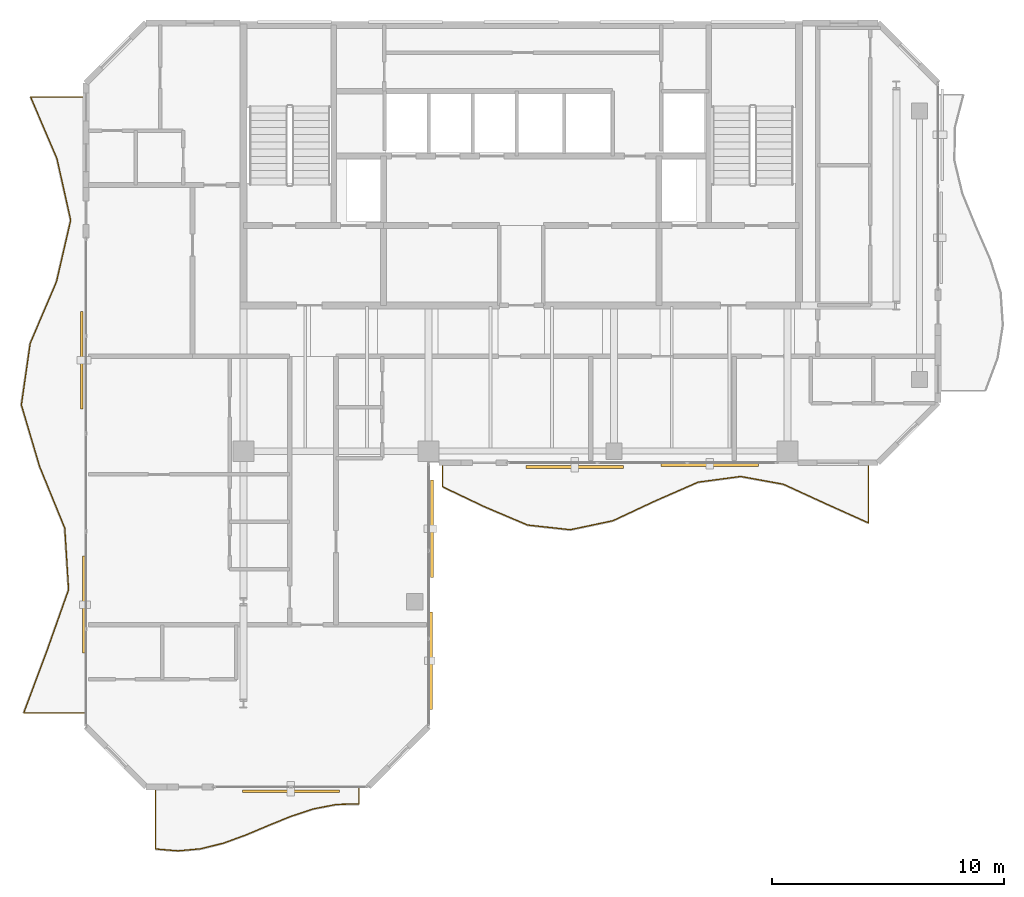
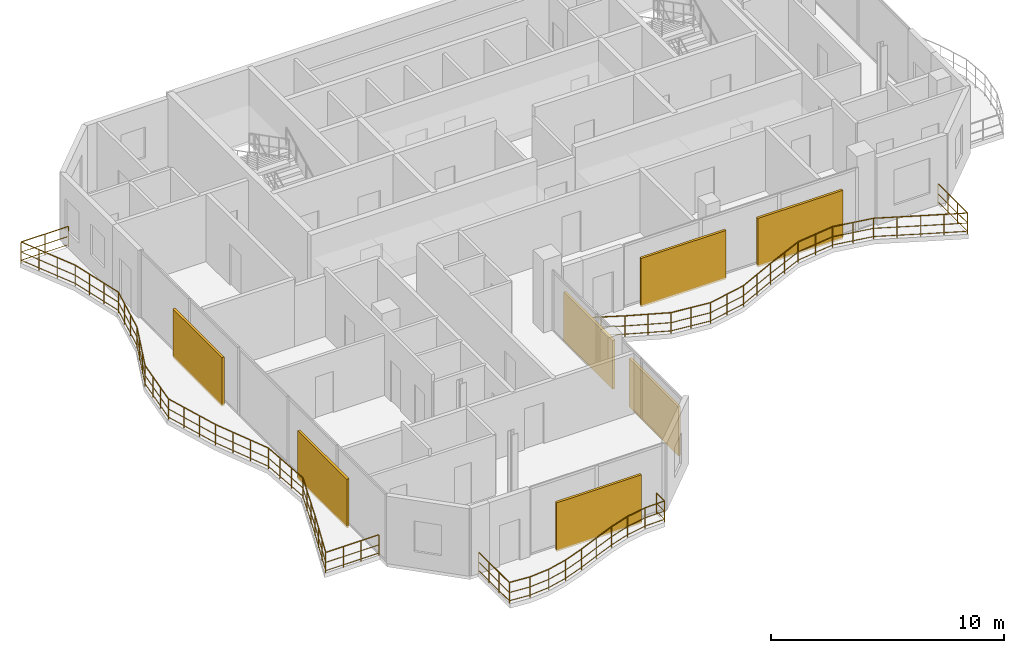
# One storey, part 16 of 17: 7 shading devices, 3 railings.
"""IFC4 building model written with IfcOpenShell, lengths in metres."""

from ifc_helpers import new_model, si_unit, direction, frame, origin, origin_2d, place, context, subcontext, project, spatial, rectangle, circle, extrude, material, type_object, element, save


model = new_model("IFC4")

# Units and contexts
model_context = context("Model", 3, precision=1e-05, world=origin(), true_north=direction((0.0, 1.0)))
body_context = subcontext(model_context, "Body", "Model", "MODEL_VIEW")
ifc_project = project(units=[si_unit("LENGTHUNIT", "METRE"), si_unit("AREAUNIT", "SQUARE_METRE"), si_unit("VOLUMEUNIT", "CUBIC_METRE"), si_unit("PLANEANGLEUNIT", "RADIAN"), si_unit("MASSUNIT", "GRAM", prefix="KILO")], contexts=[model_context])

# Site, building, storey
site_placement = place(None, origin())
site = spatial("IfcSite", under=ifc_project, at=site_placement, CompositionType="ELEMENT")
building_placement = place(site_placement, origin())
building = spatial("IfcBuilding", under=site, at=building_placement, Name="Catumbela Crestline Tower", CompositionType="ELEMENT")
storey_placement = place(building_placement, frame((0.0, 0.0, 271.6)))
storey = spatial("IfcBuildingStorey", under=building, at=storey_placement, Name="L70", CompositionType="ELEMENT", Elevation=271.6)

# Railings
ifc_material_1 = material(Name="Stainless steel EN 1.4401", Category="steel")
railing_type = type_object("IfcRailingType", Name="RB-1100", PredefinedType="BALUSTRADE", material=ifc_material_1)
railing_1_placement = place(storey_placement, frame((24.6, 23.94, 0.0)))
element("IfcRailing", 1, at=railing_1_placement, inside=storey, type_object=railing_type, Name="L70 Private Wave Balcony Balustrade 1", PredefinedType="BALUSTRADE", context=body_context, shape_type="SweptSolid", body=[
    extrude(circle(Radius=0.024, at=origin_2d()), frame((0.0, 0.0, 1.076), z_axis=(0.0, -1.0, 0.0), x_axis=(1.0, 0.0, 0.0)), (0.0, 0.0, 1.0), 0.9747),
    extrude(circle(Radius=0.0156, at=origin_2d()), frame((0.0, 0.0, 0.55), z_axis=(0.0, -1.0, 0.0), x_axis=(1.0, 0.0, 0.0)), (0.0, 0.0, 1.0), 0.9747),
    extrude(circle(Radius=0.0156, at=origin_2d()), frame((0.0, 0.0, 0.12), z_axis=(0.0, -1.0, 0.0), x_axis=(1.0, 0.0, 0.0)), (0.0, 0.0, 1.0), 0.9747),
    extrude(circle(Radius=0.024, at=origin_2d()), frame((0.0, -0.9747, 1.076), z_axis=(0.902972969489, -0.429697354394, 0.0), x_axis=(0.429697354394, 0.902972969489, 0.0)), (0.0, 0.0, 1.0), 2.0377),
    extrude(circle(Radius=0.0156, at=origin_2d()), frame((0.0, -0.9747, 0.55), z_axis=(0.902972969489, -0.429697354394, 0.0), x_axis=(0.429697354394, 0.902972969489, 0.0)), (0.0, 0.0, 1.0), 2.0377),
    extrude(circle(Radius=0.0156, at=origin_2d()), frame((0.0, -0.9747, 0.12), z_axis=(0.902972969489, -0.429697354394, 0.0), x_axis=(0.429697354394, 0.902972969489, 0.0)), (0.0, 0.0, 1.0), 2.0377),
    extrude(circle(Radius=0.024, at=origin_2d()), frame((1.84, -1.8503, 1.076), z_axis=(0.920798637324, -0.390038292353, 0.0), x_axis=(0.390038292353, 0.920798637324, 0.0)), (0.0, 0.0, 1.0), 1.9983),
    extrude(circle(Radius=0.0156, at=origin_2d()), frame((1.84, -1.8503, 0.55), z_axis=(0.920798637324, -0.390038292353, 0.0), x_axis=(0.390038292353, 0.920798637324, 0.0)), (0.0, 0.0, 1.0), 1.9983),
    extrude(circle(Radius=0.0156, at=origin_2d()), frame((1.84, -1.8503, 0.12), z_axis=(0.920798637324, -0.390038292353, 0.0), x_axis=(0.390038292353, 0.920798637324, 0.0)), (0.0, 0.0, 1.0), 1.9983),
    extrude(circle(Radius=0.024, at=origin_2d()), frame((3.68, -2.6297, 1.076), z_axis=(0.994127037849, -0.108219372653, 0.0), x_axis=(0.108219372653, 0.994127037849, 0.0)), (0.0, 0.0, 1.0), 1.8509),
    extrude(circle(Radius=0.0156, at=origin_2d()), frame((3.68, -2.6297, 0.55), z_axis=(0.994127037849, -0.108219372653, 0.0), x_axis=(0.108219372653, 0.994127037849, 0.0)), (0.0, 0.0, 1.0), 1.8509),
    extrude(circle(Radius=0.0156, at=origin_2d()), frame((3.68, -2.6297, 0.12), z_axis=(0.994127037849, -0.108219372653, 0.0), x_axis=(0.108219372653, 0.994127037849, 0.0)), (0.0, 0.0, 1.0), 1.8509),
    extrude(circle(Radius=0.024, at=origin_2d()), frame((5.52, -2.83, 1.076), z_axis=(0.978374541286, 0.206841139435, 0.0), x_axis=(-0.206841139435, 0.978374541286, 0.0)), (0.0, 0.0, 1.0), 1.8807),
    extrude(circle(Radius=0.0156, at=origin_2d()), frame((5.52, -2.83, 0.55), z_axis=(0.978374541286, 0.206841139435, 0.0), x_axis=(-0.206841139435, 0.978374541286, 0.0)), (0.0, 0.0, 1.0), 1.8807),
    extrude(circle(Radius=0.0156, at=origin_2d()), frame((5.52, -2.83, 0.12), z_axis=(0.978374541286, 0.206841139435, 0.0), x_axis=(-0.206841139435, 0.978374541286, 0.0)), (0.0, 0.0, 1.0), 1.8807),
    extrude(circle(Radius=0.024, at=origin_2d()), frame((7.36, -2.441, 1.076), z_axis=(0.905666903231, 0.423989929589, 0.0), x_axis=(-0.423989929589, 0.905666903231, 0.0)), (0.0, 0.0, 1.0), 2.0317),
    extrude(circle(Radius=0.0156, at=origin_2d()), frame((7.36, -2.441, 0.55), z_axis=(0.905666903231, 0.423989929589, 0.0), x_axis=(-0.423989929589, 0.905666903231, 0.0)), (0.0, 0.0, 1.0), 2.0317),
    extrude(circle(Radius=0.0156, at=origin_2d()), frame((7.36, -2.441, 0.12), z_axis=(0.905666903231, 0.423989929589, 0.0), x_axis=(-0.423989929589, 0.905666903231, 0.0)), (0.0, 0.0, 1.0), 2.0317),
    extrude(circle(Radius=0.024, at=origin_2d()), frame((9.2, -1.5796, 1.076), z_axis=(0.916212181506, 0.400693446988, 0.0), x_axis=(-0.400693446988, 0.916212181506, 0.0)), (0.0, 0.0, 1.0), 2.0083),
    extrude(circle(Radius=0.0156, at=origin_2d()), frame((9.2, -1.5796, 0.55), z_axis=(0.916212181506, 0.400693446988, 0.0), x_axis=(-0.400693446988, 0.916212181506, 0.0)), (0.0, 0.0, 1.0), 2.0083),
    extrude(circle(Radius=0.0156, at=origin_2d()), frame((9.2, -1.5796, 0.12), z_axis=(0.916212181506, 0.400693446988, 0.0), x_axis=(-0.400693446988, 0.916212181506, 0.0)), (0.0, 0.0, 1.0), 2.0083),
    extrude(circle(Radius=0.024, at=origin_2d()), frame((11.04, -0.7749, 1.076), z_axis=(0.991258456924, 0.131934345707, 0.0), x_axis=(-0.131934345707, 0.991258456924, 0.0)), (0.0, 0.0, 1.0), 1.8562),
    extrude(circle(Radius=0.0156, at=origin_2d()), frame((11.04, -0.7749, 0.55), z_axis=(0.991258456924, 0.131934345707, 0.0), x_axis=(-0.131934345707, 0.991258456924, 0.0)), (0.0, 0.0, 1.0), 1.8562),
    extrude(circle(Radius=0.0156, at=origin_2d()), frame((11.04, -0.7749, 0.12), z_axis=(0.991258456924, 0.131934345707, 0.0), x_axis=(-0.131934345707, 0.991258456924, 0.0)), (0.0, 0.0, 1.0), 1.8562),
    extrude(circle(Radius=0.024, at=origin_2d()), frame((12.88, -0.53, 1.076), z_axis=(0.983742201582, -0.179586416039, 0.0), x_axis=(0.179586416039, 0.983742201582, 0.0)), (0.0, 0.0, 1.0), 1.8704),
    extrude(circle(Radius=0.0156, at=origin_2d()), frame((12.88, -0.53, 0.55), z_axis=(0.983742201582, -0.179586416039, 0.0), x_axis=(0.179586416039, 0.983742201582, 0.0)), (0.0, 0.0, 1.0), 1.8704),
    extrude(circle(Radius=0.0156, at=origin_2d()), frame((12.88, -0.53, 0.12), z_axis=(0.983742201582, -0.179586416039, 0.0), x_axis=(0.179586416039, 0.983742201582, 0.0)), (0.0, 0.0, 1.0), 1.8704),
    extrude(circle(Radius=0.024, at=origin_2d()), frame((14.72, -0.8659, 1.076), z_axis=(0.908883878941, -0.41704927119, 0.0), x_axis=(0.41704927119, 0.908883878941, 0.0)), (0.0, 0.0, 1.0), 2.0245),
    extrude(circle(Radius=0.0156, at=origin_2d()), frame((14.72, -0.8659, 0.55), z_axis=(0.908883878941, -0.41704927119, 0.0), x_axis=(0.41704927119, 0.908883878941, 0.0)), (0.0, 0.0, 1.0), 2.0245),
    extrude(circle(Radius=0.0156, at=origin_2d()), frame((14.72, -0.8659, 0.12), z_axis=(0.908883878941, -0.41704927119, 0.0), x_axis=(0.41704927119, 0.908883878941, 0.0)), (0.0, 0.0, 1.0), 2.0245),
    extrude(circle(Radius=0.024, at=origin_2d()), frame((16.56, -1.7102, 1.076), z_axis=(0.912069843426, -0.410034877436, 0.0), x_axis=(0.410034877436, 0.912069843426, 0.0)), (0.0, 0.0, 1.0), 2.0174),
    extrude(circle(Radius=0.0156, at=origin_2d()), frame((16.56, -1.7102, 0.55), z_axis=(0.912069843426, -0.410034877436, 0.0), x_axis=(0.410034877436, 0.912069843426, 0.0)), (0.0, 0.0, 1.0), 2.0174),
    extrude(circle(Radius=0.0156, at=origin_2d()), frame((16.56, -1.7102, 0.12), z_axis=(0.912069843426, -0.410034877436, 0.0), x_axis=(0.410034877436, 0.912069843426, 0.0)), (0.0, 0.0, 1.0), 2.0174),
    extrude(circle(Radius=0.024, at=origin_2d()), frame((18.4, -2.5374, 1.076), z_axis=(0.0, 1.0, 0.0), x_axis=(-1.0, 0.0, 0.0)), (0.0, 0.0, 1.0), 2.5374),
    extrude(circle(Radius=0.0156, at=origin_2d()), frame((18.4, -2.5374, 0.55), z_axis=(0.0, 1.0, 0.0), x_axis=(-1.0, 0.0, 0.0)), (0.0, 0.0, 1.0), 2.5374),
    extrude(circle(Radius=0.0156, at=origin_2d()), frame((18.4, -2.5374, 0.12), z_axis=(0.0, 1.0, 0.0), x_axis=(-1.0, 0.0, 0.0)), (0.0, 0.0, 1.0), 2.5374),
    extrude(circle(Radius=0.021, at=origin_2d()), origin(), (0.0, 0.0, 1.0), 1.052),
    extrude(circle(Radius=0.021, at=origin_2d()), frame((0.0, -0.9747, 0.0)), (0.0, 0.0, 1.0), 1.052),
    extrude(circle(Radius=0.021, at=origin_2d()), frame((0.92, -1.4125, 0.0)), (0.0, 0.0, 1.0), 1.052),
    extrude(circle(Radius=0.021, at=origin_2d()), frame((1.84, -1.8503, 0.0)), (0.0, 0.0, 1.0), 1.052),
    extrude(circle(Radius=0.021, at=origin_2d()), frame((2.76, -2.24, 0.0)), (0.0, 0.0, 1.0), 1.052),
    extrude(circle(Radius=0.021, at=origin_2d()), frame((3.68, -2.6297, 0.0)), (0.0, 0.0, 1.0), 1.052),
    extrude(circle(Radius=0.021, at=origin_2d()), frame((4.6, -2.7299, 0.0)), (0.0, 0.0, 1.0), 1.052),
    extrude(circle(Radius=0.021, at=origin_2d()), frame((5.52, -2.83, 0.0)), (0.0, 0.0, 1.0), 1.052),
    extrude(circle(Radius=0.021, at=origin_2d()), frame((6.44, -2.6355, 0.0)), (0.0, 0.0, 1.0), 1.052),
    extrude(circle(Radius=0.021, at=origin_2d()), frame((7.36, -2.441, 0.0)), (0.0, 0.0, 1.0), 1.052),
    extrude(circle(Radius=0.021, at=origin_2d()), frame((8.28, -2.0103, 0.0)), (0.0, 0.0, 1.0), 1.052),
    extrude(circle(Radius=0.021, at=origin_2d()), frame((9.2, -1.5796, 0.0)), (0.0, 0.0, 1.0), 1.052),
    extrude(circle(Radius=0.021, at=origin_2d()), frame((10.12, -1.1773, 0.0)), (0.0, 0.0, 1.0), 1.052),
    extrude(circle(Radius=0.021, at=origin_2d()), frame((11.04, -0.7749, 0.0)), (0.0, 0.0, 1.0), 1.052),
    extrude(circle(Radius=0.021, at=origin_2d()), frame((11.96, -0.6525, 0.0)), (0.0, 0.0, 1.0), 1.052),
    extrude(circle(Radius=0.021, at=origin_2d()), frame((12.88, -0.53, 0.0)), (0.0, 0.0, 1.0), 1.052),
    extrude(circle(Radius=0.021, at=origin_2d()), frame((13.8, -0.698, 0.0)), (0.0, 0.0, 1.0), 1.052),
    extrude(circle(Radius=0.021, at=origin_2d()), frame((14.72, -0.8659, 0.0)), (0.0, 0.0, 1.0), 1.052),
    extrude(circle(Radius=0.021, at=origin_2d()), frame((15.64, -1.2881, 0.0)), (0.0, 0.0, 1.0), 1.052),
    extrude(circle(Radius=0.021, at=origin_2d()), frame((16.56, -1.7102, 0.0)), (0.0, 0.0, 1.0), 1.052),
    extrude(circle(Radius=0.021, at=origin_2d()), frame((17.48, -2.1238, 0.0)), (0.0, 0.0, 1.0), 1.052),
    extrude(circle(Radius=0.021, at=origin_2d()), frame((18.4, -2.5374, 0.0)), (0.0, 0.0, 1.0), 1.052),
    extrude(circle(Radius=0.021, at=origin_2d()), frame((18.4, -1.6916, 0.0)), (0.0, 0.0, 1.0), 1.052),
    extrude(circle(Radius=0.021, at=origin_2d()), frame((18.4, -0.8458, 0.0)), (0.0, 0.0, 1.0), 1.052),
    extrude(circle(Radius=0.021, at=origin_2d()), frame((18.4, 0.0, 0.0)), (0.0, 0.0, 1.0), 1.052),
])
railing_2_placement = place(storey_placement, frame((12.2, 9.94, 0.0)))
element("IfcRailing", 2, at=railing_2_placement, inside=storey, type_object=railing_type, Name="L70 Private Wave Balcony Balustrade 3", PredefinedType="BALUSTRADE", context=body_context, shape_type="SweptSolid", body=[
    extrude(circle(Radius=0.024, at=origin_2d()), frame((0.0, 0.0, 1.076), z_axis=(0.0, -1.0, 0.0), x_axis=(1.0, 0.0, 0.0)), (0.0, 0.0, 1.0), 2.6198),
    extrude(circle(Radius=0.0156, at=origin_2d()), frame((0.0, 0.0, 0.55), z_axis=(0.0, -1.0, 0.0), x_axis=(1.0, 0.0, 0.0)), (0.0, 0.0, 1.0), 2.6198),
    extrude(circle(Radius=0.0156, at=origin_2d()), frame((0.0, 0.0, 0.12), z_axis=(0.0, -1.0, 0.0), x_axis=(1.0, 0.0, 0.0)), (0.0, 0.0, 1.0), 2.6198),
    extrude(circle(Radius=0.024, at=origin_2d()), frame((0.0, -2.6198, 1.076), z_axis=(0.996661465532, -0.081645104714, 0.0), x_axis=(0.081645104714, 0.996661465532, 0.0)), (0.0, 0.0, 1.0), 0.9811),
    extrude(circle(Radius=0.0156, at=origin_2d()), frame((0.0, -2.6198, 0.55), z_axis=(0.996661465532, -0.081645104714, 0.0), x_axis=(0.081645104714, 0.996661465532, 0.0)), (0.0, 0.0, 1.0), 0.9811),
    extrude(circle(Radius=0.0156, at=origin_2d()), frame((0.0, -2.6198, 0.12), z_axis=(0.996661465532, -0.081645104714, 0.0), x_axis=(0.081645104714, 0.996661465532, 0.0)), (0.0, 0.0, 1.0), 0.9811),
    extrude(circle(Radius=0.024, at=origin_2d()), frame((0.9778, -2.6999, 1.076), z_axis=(0.995919878684, 0.090241870783, 0.0), x_axis=(-0.090241870783, 0.995919878684, 0.0)), (0.0, 0.0, 1.0), 0.9818),
    extrude(circle(Radius=0.0156, at=origin_2d()), frame((0.9778, -2.6999, 0.55), z_axis=(0.995919878684, 0.090241870783, 0.0), x_axis=(-0.090241870783, 0.995919878684, 0.0)), (0.0, 0.0, 1.0), 0.9818),
    extrude(circle(Radius=0.0156, at=origin_2d()), frame((0.9778, -2.6999, 0.12), z_axis=(0.995919878684, 0.090241870783, 0.0), x_axis=(-0.090241870783, 0.995919878684, 0.0)), (0.0, 0.0, 1.0), 0.9818),
    extrude(circle(Radius=0.024, at=origin_2d()), frame((1.9556, -2.6113, 1.076), z_axis=(0.970567280725, 0.240830134299, 0.0), x_axis=(-0.240830134299, 0.970567280725, 0.0)), (0.0, 0.0, 1.0), 1.0073),
    extrude(circle(Radius=0.0156, at=origin_2d()), frame((1.9556, -2.6113, 0.55), z_axis=(0.970567280725, 0.240830134299, 0.0), x_axis=(-0.240830134299, 0.970567280725, 0.0)), (0.0, 0.0, 1.0), 1.0073),
    extrude(circle(Radius=0.0156, at=origin_2d()), frame((1.9556, -2.6113, 0.12), z_axis=(0.970567280725, 0.240830134299, 0.0), x_axis=(-0.240830134299, 0.970567280725, 0.0)), (0.0, 0.0, 1.0), 1.0073),
    extrude(circle(Radius=0.024, at=origin_2d()), frame((2.9333, -2.3687, 1.076), z_axis=(0.939473211862, 0.342622363827, 0.0), x_axis=(-0.342622363827, 0.939473211862, 0.0)), (0.0, 0.0, 1.0), 1.0408),
    extrude(circle(Radius=0.0156, at=origin_2d()), frame((2.9333, -2.3687, 0.55), z_axis=(0.939473211862, 0.342622363827, 0.0), x_axis=(-0.342622363827, 0.939473211862, 0.0)), (0.0, 0.0, 1.0), 1.0408),
    extrude(circle(Radius=0.0156, at=origin_2d()), frame((2.9333, -2.3687, 0.12), z_axis=(0.939473211862, 0.342622363827, 0.0), x_axis=(-0.342622363827, 0.939473211862, 0.0)), (0.0, 0.0, 1.0), 1.0408),
    extrude(circle(Radius=0.024, at=origin_2d()), frame((3.9111, -2.0121, 1.076), z_axis=(0.921704560687, 0.387892643406, 0.0), x_axis=(-0.387892643406, 0.921704560687, 0.0)), (0.0, 0.0, 1.0), 1.0609),
    extrude(circle(Radius=0.0156, at=origin_2d()), frame((3.9111, -2.0121, 0.55), z_axis=(0.921704560687, 0.387892643406, 0.0), x_axis=(-0.387892643406, 0.921704560687, 0.0)), (0.0, 0.0, 1.0), 1.0609),
    extrude(circle(Radius=0.0156, at=origin_2d()), frame((3.9111, -2.0121, 0.12), z_axis=(0.921704560687, 0.387892643406, 0.0), x_axis=(-0.387892643406, 0.921704560687, 0.0)), (0.0, 0.0, 1.0), 1.0609),
    extrude(circle(Radius=0.024, at=origin_2d()), frame((4.8889, -1.6006, 1.076), z_axis=(0.926080102617, 0.377326971653, 0.0), x_axis=(-0.377326971653, 0.926080102617, 0.0)), (0.0, 0.0, 1.0), 1.0558),
    extrude(circle(Radius=0.0156, at=origin_2d()), frame((4.8889, -1.6006, 0.55), z_axis=(0.926080102617, 0.377326971653, 0.0), x_axis=(-0.377326971653, 0.926080102617, 0.0)), (0.0, 0.0, 1.0), 1.0558),
    extrude(circle(Radius=0.0156, at=origin_2d()), frame((4.8889, -1.6006, 0.12), z_axis=(0.926080102617, 0.377326971653, 0.0), x_axis=(-0.377326971653, 0.926080102617, 0.0)), (0.0, 0.0, 1.0), 1.0558),
    extrude(circle(Radius=0.024, at=origin_2d()), frame((5.8667, -1.2022, 1.076), z_axis=(0.950590818287, 0.310446607629, 0.0), x_axis=(-0.310446607629, 0.950590818287, 0.0)), (0.0, 0.0, 1.0), 1.0285),
    extrude(circle(Radius=0.0156, at=origin_2d()), frame((5.8667, -1.2022, 0.55), z_axis=(0.950590818287, 0.310446607629, 0.0), x_axis=(-0.310446607629, 0.950590818287, 0.0)), (0.0, 0.0, 1.0), 1.0285),
    extrude(circle(Radius=0.0156, at=origin_2d()), frame((5.8667, -1.2022, 0.12), z_axis=(0.950590818287, 0.310446607629, 0.0), x_axis=(-0.310446607629, 0.950590818287, 0.0)), (0.0, 0.0, 1.0), 1.0285),
    extrude(circle(Radius=0.024, at=origin_2d()), frame((6.8444, -0.8829, 1.076), z_axis=(0.982106605641, 0.188325821802, 0.0), x_axis=(-0.188325821802, 0.982106605641, 0.0)), (0.0, 0.0, 1.0), 0.9956),
    extrude(circle(Radius=0.0156, at=origin_2d()), frame((6.8444, -0.8829, 0.55), z_axis=(0.982106605641, 0.188325821802, 0.0), x_axis=(-0.188325821802, 0.982106605641, 0.0)), (0.0, 0.0, 1.0), 0.9956),
    extrude(circle(Radius=0.0156, at=origin_2d()), frame((6.8444, -0.8829, 0.12), z_axis=(0.982106605641, 0.188325821802, 0.0), x_axis=(-0.188325821802, 0.982106605641, 0.0)), (0.0, 0.0, 1.0), 0.9956),
    extrude(circle(Radius=0.024, at=origin_2d()), frame((7.8222, -0.6954, 1.076), z_axis=(0.999683674614, 0.025150560846, 0.0), x_axis=(-0.025150560846, 0.999683674614, 0.0)), (0.0, 0.0, 1.0), 0.9781),
    extrude(circle(Radius=0.0156, at=origin_2d()), frame((7.8222, -0.6954, 0.55), z_axis=(0.999683674614, 0.025150560846, 0.0), x_axis=(-0.025150560846, 0.999683674614, 0.0)), (0.0, 0.0, 1.0), 0.9781),
    extrude(circle(Radius=0.0156, at=origin_2d()), frame((7.8222, -0.6954, 0.12), z_axis=(0.999683674614, 0.025150560846, 0.0), x_axis=(-0.025150560846, 0.999683674614, 0.0)), (0.0, 0.0, 1.0), 0.9781),
    extrude(circle(Radius=0.024, at=origin_2d()), frame((8.8, -0.6708, 1.076), z_axis=(0.0, 1.0, 0.0), x_axis=(-1.0, 0.0, 0.0)), (0.0, 0.0, 1.0), 0.6708),
    extrude(circle(Radius=0.0156, at=origin_2d()), frame((8.8, -0.6708, 0.55), z_axis=(0.0, 1.0, 0.0), x_axis=(-1.0, 0.0, 0.0)), (0.0, 0.0, 1.0), 0.6708),
    extrude(circle(Radius=0.0156, at=origin_2d()), frame((8.8, -0.6708, 0.12), z_axis=(0.0, 1.0, 0.0), x_axis=(-1.0, 0.0, 0.0)), (0.0, 0.0, 1.0), 0.6708),
    extrude(circle(Radius=0.021, at=origin_2d()), origin(), (0.0, 0.0, 1.0), 1.052),
    extrude(circle(Radius=0.021, at=origin_2d()), frame((0.0, -0.8733, 0.0)), (0.0, 0.0, 1.0), 1.052),
    extrude(circle(Radius=0.021, at=origin_2d()), frame((0.0, -1.7465, 0.0)), (0.0, 0.0, 1.0), 1.052),
    extrude(circle(Radius=0.021, at=origin_2d()), frame((0.0, -2.6198, 0.0)), (0.0, 0.0, 1.0), 1.052),
    extrude(circle(Radius=0.021, at=origin_2d()), frame((0.9778, -2.6999, 0.0)), (0.0, 0.0, 1.0), 1.052),
    extrude(circle(Radius=0.021, at=origin_2d()), frame((1.9556, -2.6113, 0.0)), (0.0, 0.0, 1.0), 1.052),
    extrude(circle(Radius=0.021, at=origin_2d()), frame((2.9333, -2.3687, 0.0)), (0.0, 0.0, 1.0), 1.052),
    extrude(circle(Radius=0.021, at=origin_2d()), frame((3.9111, -2.0121, 0.0)), (0.0, 0.0, 1.0), 1.052),
    extrude(circle(Radius=0.021, at=origin_2d()), frame((4.8889, -1.6006, 0.0)), (0.0, 0.0, 1.0), 1.052),
    extrude(circle(Radius=0.021, at=origin_2d()), frame((5.8667, -1.2022, 0.0)), (0.0, 0.0, 1.0), 1.052),
    extrude(circle(Radius=0.021, at=origin_2d()), frame((6.8444, -0.8829, 0.0)), (0.0, 0.0, 1.0), 1.052),
    extrude(circle(Radius=0.021, at=origin_2d()), frame((7.8222, -0.6954, 0.0)), (0.0, 0.0, 1.0), 1.052),
    extrude(circle(Radius=0.021, at=origin_2d()), frame((8.8, -0.6708, 0.0)), (0.0, 0.0, 1.0), 1.052),
    extrude(circle(Radius=0.021, at=origin_2d()), frame((8.8, 0.0, 0.0)), (0.0, 0.0, 1.0), 1.052),
])
railing_3_placement = place(storey_placement, frame((9.14, 39.8, 0.0)))
element("IfcRailing", 3, at=railing_3_placement, inside=storey, type_object=railing_type, Name="L70 Private Wave Balcony Balustrade 4", PredefinedType="BALUSTRADE", context=body_context, shape_type="SweptSolid", body=[
    extrude(circle(Radius=0.024, at=origin_2d()), frame((0.0, 0.0, 1.076), z_axis=(-1.0, 0.0, 0.0), x_axis=(0.0, -1.0, 0.0)), (0.0, 0.0, 1.0), 2.3314),
    extrude(circle(Radius=0.0156, at=origin_2d()), frame((0.0, 0.0, 0.55), z_axis=(-1.0, 0.0, 0.0), x_axis=(0.0, -1.0, 0.0)), (0.0, 0.0, 1.0), 2.3314),
    extrude(circle(Radius=0.0156, at=origin_2d()), frame((0.0, 0.0, 0.12), z_axis=(-1.0, 0.0, 0.0), x_axis=(0.0, -1.0, 0.0)), (0.0, 0.0, 1.0), 2.3314),
    extrude(circle(Radius=0.024, at=origin_2d()), frame((-2.3314, 0.0, 1.076), z_axis=(0.39315989212, -0.919470118725, 0.0), x_axis=(0.919470118725, 0.39315989212, 0.0)), (0.0, 0.0, 1.0), 2.893),
    extrude(circle(Radius=0.0156, at=origin_2d()), frame((-2.3314, 0.0, 0.55), z_axis=(0.39315989212, -0.919470118725, 0.0), x_axis=(0.919470118725, 0.39315989212, 0.0)), (0.0, 0.0, 1.0), 2.893),
    extrude(circle(Radius=0.0156, at=origin_2d()), frame((-2.3314, 0.0, 0.12), z_axis=(0.39315989212, -0.919470118725, 0.0), x_axis=(0.919470118725, 0.39315989212, 0.0)), (0.0, 0.0, 1.0), 2.893),
    extrude(circle(Radius=0.024, at=origin_2d()), frame((-1.194, -2.66, 1.076), z_axis=(0.217905456168, -0.97596988282, 0.0), x_axis=(0.97596988282, 0.217905456168, 0.0)), (0.0, 0.0, 1.0), 2.7255),
    extrude(circle(Radius=0.0156, at=origin_2d()), frame((-1.194, -2.66, 0.55), z_axis=(0.217905456168, -0.97596988282, 0.0), x_axis=(0.97596988282, 0.217905456168, 0.0)), (0.0, 0.0, 1.0), 2.7255),
    extrude(circle(Radius=0.0156, at=origin_2d()), frame((-1.194, -2.66, 0.12), z_axis=(0.217905456168, -0.97596988282, 0.0), x_axis=(0.97596988282, 0.217905456168, 0.0)), (0.0, 0.0, 1.0), 2.7255),
    extrude(circle(Radius=0.024, at=origin_2d()), frame((-0.6001, -5.32, 1.076), z_axis=(-0.224773893988, -0.974410948513, 0.0), x_axis=(0.974410948513, -0.224773893988, 0.0)), (0.0, 0.0, 1.0), 2.7299),
    extrude(circle(Radius=0.0156, at=origin_2d()), frame((-0.6001, -5.32, 0.55), z_axis=(-0.224773893988, -0.974410948513, 0.0), x_axis=(0.974410948513, -0.224773893988, 0.0)), (0.0, 0.0, 1.0), 2.7299),
    extrude(circle(Radius=0.0156, at=origin_2d()), frame((-0.6001, -5.32, 0.12), z_axis=(-0.224773893988, -0.974410948513, 0.0), x_axis=(0.974410948513, -0.224773893988, 0.0)), (0.0, 0.0, 1.0), 2.7299),
    extrude(circle(Radius=0.024, at=origin_2d()), frame((-1.2137, -7.98, 1.076), z_axis=(-0.392487438084, -0.919757365258, 0.0), x_axis=(0.919757365258, -0.392487438084, 0.0)), (0.0, 0.0, 1.0), 2.8921),
    extrude(circle(Radius=0.0156, at=origin_2d()), frame((-1.2137, -7.98, 0.55), z_axis=(-0.392487438084, -0.919757365258, 0.0), x_axis=(0.919757365258, -0.392487438084, 0.0)), (0.0, 0.0, 1.0), 2.8921),
    extrude(circle(Radius=0.0156, at=origin_2d()), frame((-1.2137, -7.98, 0.12), z_axis=(-0.392487438084, -0.919757365258, 0.0), x_axis=(0.919757365258, -0.392487438084, 0.0)), (0.0, 0.0, 1.0), 2.8921),
    extrude(circle(Radius=0.024, at=origin_2d()), frame((-2.3488, -10.64, 1.076), z_axis=(-0.141858976617, -0.989886877756, 0.0), x_axis=(0.989886877756, -0.141858976617, 0.0)), (0.0, 0.0, 1.0), 2.6872),
    extrude(circle(Radius=0.0156, at=origin_2d()), frame((-2.3488, -10.64, 0.55), z_axis=(-0.141858976617, -0.989886877756, 0.0), x_axis=(0.989886877756, -0.141858976617, 0.0)), (0.0, 0.0, 1.0), 2.6872),
    extrude(circle(Radius=0.0156, at=origin_2d()), frame((-2.3488, -10.64, 0.12), z_axis=(-0.141858976617, -0.989886877756, 0.0), x_axis=(0.989886877756, -0.141858976617, 0.0)), (0.0, 0.0, 1.0), 2.6872),
    extrude(circle(Radius=0.024, at=origin_2d()), frame((-2.73, -13.3, 1.076), z_axis=(0.283939821171, -0.958842102723, 0.0), x_axis=(0.958842102723, 0.283939821171, 0.0)), (0.0, 0.0, 1.0), 2.7742),
    extrude(circle(Radius=0.0156, at=origin_2d()), frame((-2.73, -13.3, 0.55), z_axis=(0.283939821171, -0.958842102723, 0.0), x_axis=(0.958842102723, 0.283939821171, 0.0)), (0.0, 0.0, 1.0), 2.7742),
    extrude(circle(Radius=0.0156, at=origin_2d()), frame((-2.73, -13.3, 0.12), z_axis=(0.283939821171, -0.958842102723, 0.0), x_axis=(0.958842102723, 0.283939821171, 0.0)), (0.0, 0.0, 1.0), 2.7742),
    extrude(circle(Radius=0.024, at=origin_2d()), frame((-1.9423, -15.96, 1.076), z_axis=(0.378280502591, -0.925691018299, 0.0), x_axis=(0.925691018299, 0.378280502591, 0.0)), (0.0, 0.0, 1.0), 2.8735),
    extrude(circle(Radius=0.0156, at=origin_2d()), frame((-1.9423, -15.96, 0.55), z_axis=(0.378280502591, -0.925691018299, 0.0), x_axis=(0.925691018299, 0.378280502591, 0.0)), (0.0, 0.0, 1.0), 2.8735),
    extrude(circle(Radius=0.0156, at=origin_2d()), frame((-1.9423, -15.96, 0.12), z_axis=(0.378280502591, -0.925691018299, 0.0), x_axis=(0.925691018299, 0.378280502591, 0.0)), (0.0, 0.0, 1.0), 2.8735),
    extrude(circle(Radius=0.024, at=origin_2d()), frame((-0.8553, -18.62, 1.076), z_axis=(0.06183632436, -0.998086303377, 0.0), x_axis=(0.998086303377, 0.06183632436, 0.0)), (0.0, 0.0, 1.0), 2.6651),
    extrude(circle(Radius=0.0156, at=origin_2d()), frame((-0.8553, -18.62, 0.55), z_axis=(0.06183632436, -0.998086303377, 0.0), x_axis=(0.998086303377, 0.06183632436, 0.0)), (0.0, 0.0, 1.0), 2.6651),
    extrude(circle(Radius=0.0156, at=origin_2d()), frame((-0.8553, -18.62, 0.12), z_axis=(0.06183632436, -0.998086303377, 0.0), x_axis=(0.998086303377, 0.06183632436, 0.0)), (0.0, 0.0, 1.0), 2.6651),
    extrude(circle(Radius=0.024, at=origin_2d()), frame((-0.6905, -21.28, 1.076), z_axis=(-0.333726431918, -0.942669968037, 0.0), x_axis=(0.942669968037, -0.333726431918, 0.0)), (0.0, 0.0, 1.0), 2.8218),
    extrude(circle(Radius=0.0156, at=origin_2d()), frame((-0.6905, -21.28, 0.55), z_axis=(-0.333726431918, -0.942669968037, 0.0), x_axis=(0.942669968037, -0.333726431918, 0.0)), (0.0, 0.0, 1.0), 2.8218),
    extrude(circle(Radius=0.0156, at=origin_2d()), frame((-0.6905, -21.28, 0.12), z_axis=(-0.333726431918, -0.942669968037, 0.0), x_axis=(0.942669968037, -0.333726431918, 0.0)), (0.0, 0.0, 1.0), 2.8218),
    extrude(circle(Radius=0.024, at=origin_2d()), frame((-1.6322, -23.94, 1.076), z_axis=(-0.350382458303, -0.936606711974, 0.0), x_axis=(0.936606711974, -0.350382458303, 0.0)), (0.0, 0.0, 1.0), 2.84),
    extrude(circle(Radius=0.0156, at=origin_2d()), frame((-1.6322, -23.94, 0.55), z_axis=(-0.350382458303, -0.936606711974, 0.0), x_axis=(0.936606711974, -0.350382458303, 0.0)), (0.0, 0.0, 1.0), 2.84),
    extrude(circle(Radius=0.0156, at=origin_2d()), frame((-1.6322, -23.94, 0.12), z_axis=(-0.350382458303, -0.936606711974, 0.0), x_axis=(0.936606711974, -0.350382458303, 0.0)), (0.0, 0.0, 1.0), 2.84),
    extrude(circle(Radius=0.024, at=origin_2d()), frame((-2.6273, -26.6, 1.076), z_axis=(1.0, 0.0, 0.0), x_axis=(0.0, 1.0, 0.0)), (0.0, 0.0, 1.0), 2.6273),
    extrude(circle(Radius=0.0156, at=origin_2d()), frame((-2.6273, -26.6, 0.55), z_axis=(1.0, 0.0, 0.0), x_axis=(0.0, 1.0, 0.0)), (0.0, 0.0, 1.0), 2.6273),
    extrude(circle(Radius=0.0156, at=origin_2d()), frame((-2.6273, -26.6, 0.12), z_axis=(1.0, 0.0, 0.0), x_axis=(0.0, 1.0, 0.0)), (0.0, 0.0, 1.0), 2.6273),
    extrude(circle(Radius=0.021, at=origin_2d()), origin(), (0.0, 0.0, 1.0), 1.052),
    extrude(circle(Radius=0.021, at=origin_2d()), frame((-1.1657, 0.0, 0.0)), (0.0, 0.0, 1.0), 1.052),
    extrude(circle(Radius=0.021, at=origin_2d()), frame((-2.3314, 0.0, 0.0)), (0.0, 0.0, 1.0), 1.052),
    extrude(circle(Radius=0.021, at=origin_2d()), frame((-1.9523, -0.8867, 0.0)), (0.0, 0.0, 1.0), 1.052),
    extrude(circle(Radius=0.021, at=origin_2d()), frame((-1.5731, -1.7733, 0.0)), (0.0, 0.0, 1.0), 1.052),
    extrude(circle(Radius=0.021, at=origin_2d()), frame((-1.194, -2.66, 0.0)), (0.0, 0.0, 1.0), 1.052),
    extrude(circle(Radius=0.021, at=origin_2d()), frame((-0.996, -3.5467, 0.0)), (0.0, 0.0, 1.0), 1.052),
    extrude(circle(Radius=0.021, at=origin_2d()), frame((-0.7981, -4.4333, 0.0)), (0.0, 0.0, 1.0), 1.052),
    extrude(circle(Radius=0.021, at=origin_2d()), frame((-0.6001, -5.32, 0.0)), (0.0, 0.0, 1.0), 1.052),
    extrude(circle(Radius=0.021, at=origin_2d()), frame((-0.8046, -6.2067, 0.0)), (0.0, 0.0, 1.0), 1.052),
    extrude(circle(Radius=0.021, at=origin_2d()), frame((-1.0092, -7.0933, 0.0)), (0.0, 0.0, 1.0), 1.052),
    extrude(circle(Radius=0.021, at=origin_2d()), frame((-1.2137, -7.98, 0.0)), (0.0, 0.0, 1.0), 1.052),
    extrude(circle(Radius=0.021, at=origin_2d()), frame((-1.5921, -8.8667, 0.0)), (0.0, 0.0, 1.0), 1.052),
    extrude(circle(Radius=0.021, at=origin_2d()), frame((-1.9704, -9.7533, 0.0)), (0.0, 0.0, 1.0), 1.052),
    extrude(circle(Radius=0.021, at=origin_2d()), frame((-2.3488, -10.64, 0.0)), (0.0, 0.0, 1.0), 1.052),
    extrude(circle(Radius=0.021, at=origin_2d()), frame((-2.4759, -11.5267, 0.0)), (0.0, 0.0, 1.0), 1.052),
    extrude(circle(Radius=0.021, at=origin_2d()), frame((-2.6029, -12.4133, 0.0)), (0.0, 0.0, 1.0), 1.052),
    extrude(circle(Radius=0.021, at=origin_2d()), frame((-2.73, -13.3, 0.0)), (0.0, 0.0, 1.0), 1.052),
    extrude(circle(Radius=0.021, at=origin_2d()), frame((-2.4674, -14.1867, 0.0)), (0.0, 0.0, 1.0), 1.052),
    extrude(circle(Radius=0.021, at=origin_2d()), frame((-2.2049, -15.0733, 0.0)), (0.0, 0.0, 1.0), 1.052),
    extrude(circle(Radius=0.021, at=origin_2d()), frame((-1.9423, -15.96, 0.0)), (0.0, 0.0, 1.0), 1.052),
    extrude(circle(Radius=0.021, at=origin_2d()), frame((-1.58, -16.8467, 0.0)), (0.0, 0.0, 1.0), 1.052),
    extrude(circle(Radius=0.021, at=origin_2d()), frame((-1.2176, -17.7333, 0.0)), (0.0, 0.0, 1.0), 1.052),
    extrude(circle(Radius=0.021, at=origin_2d()), frame((-0.8553, -18.62, 0.0)), (0.0, 0.0, 1.0), 1.052),
    extrude(circle(Radius=0.021, at=origin_2d()), frame((-0.8004, -19.5067, 0.0)), (0.0, 0.0, 1.0), 1.052),
    extrude(circle(Radius=0.021, at=origin_2d()), frame((-0.7454, -20.3933, 0.0)), (0.0, 0.0, 1.0), 1.052),
    extrude(circle(Radius=0.021, at=origin_2d()), frame((-0.6905, -21.28, 0.0)), (0.0, 0.0, 1.0), 1.052),
    extrude(circle(Radius=0.021, at=origin_2d()), frame((-1.0044, -22.1667, 0.0)), (0.0, 0.0, 1.0), 1.052),
    extrude(circle(Radius=0.021, at=origin_2d()), frame((-1.3183, -23.0533, 0.0)), (0.0, 0.0, 1.0), 1.052),
    extrude(circle(Radius=0.021, at=origin_2d()), frame((-1.6322, -23.94, 0.0)), (0.0, 0.0, 1.0), 1.052),
    extrude(circle(Radius=0.021, at=origin_2d()), frame((-1.9639, -24.8267, 0.0)), (0.0, 0.0, 1.0), 1.052),
    extrude(circle(Radius=0.021, at=origin_2d()), frame((-2.2956, -25.7133, 0.0)), (0.0, 0.0, 1.0), 1.052),
    extrude(circle(Radius=0.021, at=origin_2d()), frame((-2.6273, -26.6, 0.0)), (0.0, 0.0, 1.0), 1.052),
    extrude(circle(Radius=0.021, at=origin_2d()), frame((-1.7515, -26.6, 0.0)), (0.0, 0.0, 1.0), 1.052),
    extrude(circle(Radius=0.021, at=origin_2d()), frame((-0.8758, -26.6, 0.0)), (0.0, 0.0, 1.0), 1.052),
    extrude(circle(Radius=0.021, at=origin_2d()), frame((0.0, -26.6, 0.0)), (0.0, 0.0, 1.0), 1.052),
])

# Shading devices
ifc_material_2 = material(Name="Extruded terracotta ceramic", Category="masonry")
shading_device_type_1 = type_object("IfcShadingDeviceType", Name="ST-180", PredefinedType="USERDEFINED", material=ifc_material_2)
for number, where, z_axis, x_axis, name in (
    (4, (24.099, 15.45, -0.1), (0.0, 0.0, 1.0), (0.0, 1.0, 0.0), "L70 Perforated Terracotta Solar Screen 860 (180 mm)"),
    (5, (36.1375, 23.901, -0.1), (0.0, 0.0, 1.0), (1.0, 0.0, 0.0), "L70 Perforated Terracotta Solar Screen 863 (180 mm)"),
    (6, (9.101, 17.875, -0.1), (0.0, 0.0, 1.0), (0.0, -1.0, 0.0), "L70 Perforated Terracotta Solar Screen 867 (180 mm)"),
):
    element("IfcShadingDevice", number, at=place(storey_placement, frame(where, z_axis=z_axis, x_axis=x_axis)), inside=storey, type_object=shading_device_type_1, Name=name, ObjectType="SCREEN", PredefinedType="USERDEFINED", context=body_context, shape_type="SweptSolid", body=[
        extrude(rectangle(XDim=4.2, YDim=0.12, at=origin_2d()), origin(), (0.0, 0.0, 1.0), 2.55),
    ])
shading_device_type_2 = type_object("IfcShadingDeviceType", Name="ST-260", PredefinedType="USERDEFINED", material=ifc_material_2)
shading_device_placement = place(storey_placement, frame((24.143, 21.15, -0.1), z_axis=(0.0, 0.0, 1.0), x_axis=(0.0, 1.0, 0.0)))
element("IfcShadingDevice", 7, at=shading_device_placement, inside=storey, type_object=shading_device_type_2, Name="L70 Perforated Terracotta Solar Screen 861 (260 mm)", ObjectType="SCREEN", PredefinedType="USERDEFINED", context=body_context, shape_type="SweptSolid", body=[
    extrude(rectangle(XDim=4.2, YDim=0.12, at=origin_2d()), origin(), (0.0, 0.0, 1.0), 2.55),
])
shading_device_type_3 = type_object("IfcShadingDeviceType", Name="ST-340", PredefinedType="USERDEFINED", material=ifc_material_2)
for number, where, z_axis, x_axis, name in (
    (8, (18.05, 9.813, -0.1), (0.0, 0.0, 1.0), (1.0, 0.0, 0.0), "L70 Perforated Terracotta Solar Screen 859 (340 mm)"),
    (9, (30.3125, 23.813, -0.1), (0.0, 0.0, 1.0), (1.0, 0.0, 0.0), "L70 Perforated Terracotta Solar Screen 862 (340 mm)"),
    (10, (9.013, 28.425, -0.1), (0.0, 0.0, 1.0), (0.0, -1.0, 0.0), "L70 Perforated Terracotta Solar Screen 866 (340 mm)"),
):
    element("IfcShadingDevice", number, at=place(storey_placement, frame(where, z_axis=z_axis, x_axis=x_axis)), inside=storey, type_object=shading_device_type_3, Name=name, ObjectType="SCREEN", PredefinedType="USERDEFINED", context=body_context, shape_type="SweptSolid", body=[
        extrude(rectangle(XDim=4.2, YDim=0.12, at=origin_2d()), origin(), (0.0, 0.0, 1.0), 2.55),
    ])

save(model, "model.ifc")
